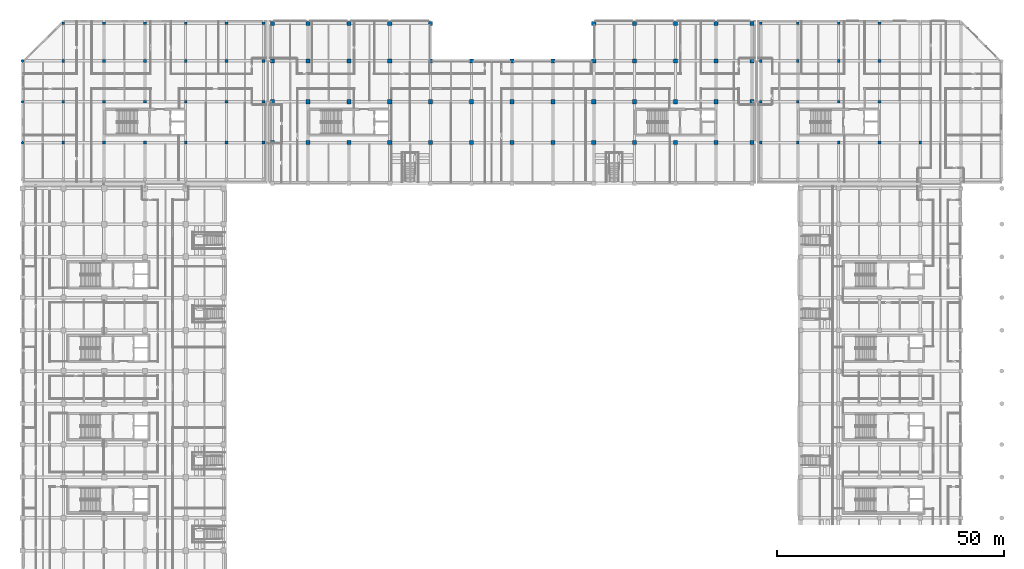
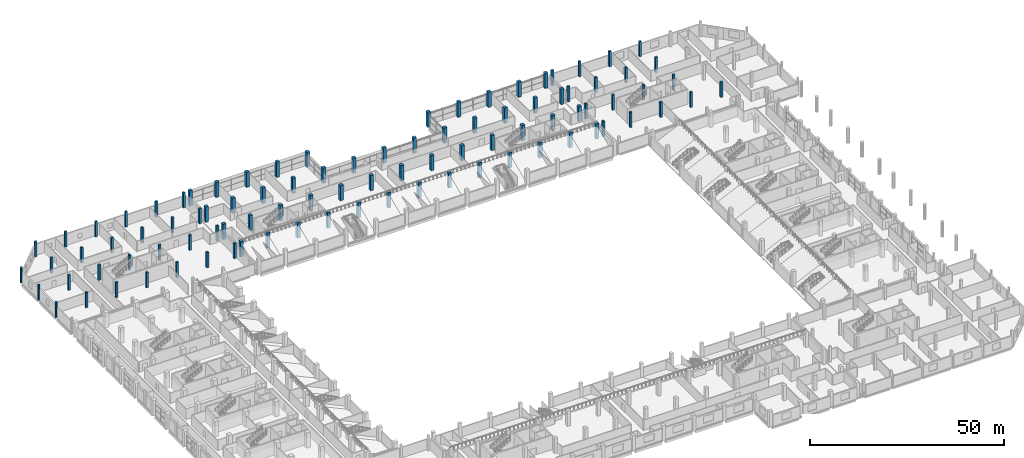
# One storey, part 3 of 100: 93 columns.
"""IFC4 building model written with IfcOpenShell, lengths in metres."""

from ifc_helpers import new_model, si_unit, direction, frame, origin, origin_2d, place, context, subcontext, project, spatial, rectangle, circle, extrude, material, material_profile, profile_set, type_object, element, save


model = new_model("IFC4")

# Units and contexts
model_context = context("Model", 3, precision=1e-05, world=origin(), true_north=direction((0.0, 1.0)))
body_context = subcontext(model_context, "Body", "Model", "MODEL_VIEW")
ifc_project = project(units=[si_unit("LENGTHUNIT", "METRE"), si_unit("AREAUNIT", "SQUARE_METRE"), si_unit("VOLUMEUNIT", "CUBIC_METRE"), si_unit("PLANEANGLEUNIT", "RADIAN"), si_unit("MASSUNIT", "GRAM", prefix="KILO"), si_unit("THERMODYNAMICTEMPERATUREUNIT", "KELVIN"), si_unit("POWERUNIT", "WATT")], contexts=[model_context])

# Site, building, storey
site_placement = place(None, origin())
site = spatial("IfcSite", under=ifc_project, at=site_placement, CompositionType="ELEMENT")
building_placement = place(site_placement, origin())
building = spatial("IfcBuilding", under=site, at=building_placement, Name="Sindhuravela Promenade Stadium", CompositionType="ELEMENT")
storey_placement = place(building_placement, frame((0.0, 0.0, 4.800048828125)))
storey = spatial("IfcBuildingStorey", under=building, at=storey_placement, Name="L01", CompositionType="ELEMENT", Elevation=4.800048828125)

# Columns
ifc_material = material(Name="Concrete M40", Category="concrete")
ifc_material_profile_1 = material_profile(ifc_material, rectangle(XDim=0.60009765625, YDim=0.60009765625, at=origin_2d()), Name="RC 600x600")
ifc_profile_set_1 = profile_set([ifc_material_profile_1], Name="Concrete M40")
column_type_1 = type_object("IfcColumnType", Name="RC-CL-600x600", PredefinedType="COLUMN", material=ifc_profile_set_1)
for number, where, z_axis, x_axis, name in (
    (1, (9.0, 135.0, 0.0), (0.0, 0.0, 1.0), (1.0, 0.0, 0.0), "Column C17 Pavilion NW L01"),
    (2, (9.0, 144.0, 0.0), (0.0, 0.0, 1.0), (1.0, 0.0, 0.0), "Column C17 Pavilion NW L01"),
    (3, (9.0, 153.0, 0.0), (0.0, 0.0, 1.0), (1.0, 0.0, 0.0), "Column C17 Pavilion NW L01"),
    (4, (9.0, 161.300048828125, 0.0), (0.0, 0.0, 1.0), (1.0, 0.0, 0.0), "Column C17 Pavilion NW L01"),
    (5, (18.0, 135.0, 0.0), (0.0, 0.0, 1.0), (1.0, 0.0, 0.0), "Column C17 Pavilion NW L01"),
    (6, (18.0, 144.0, 0.0), (0.0, 0.0, 1.0), (1.0, 0.0, 0.0), "Column C17 Pavilion NW L01"),
    (7, (18.0, 153.0, 0.0), (0.0, 0.0, 1.0), (1.0, 0.0, 0.0), "Column C17 Pavilion NW L01"),
    (8, (18.0, 161.300048828125, 0.0), (0.0, 0.0, 1.0), (1.0, 0.0, 0.0), "Column C17 Pavilion NW L01"),
    (9, (27.0, 135.0, 0.0), (0.0, 0.0, 1.0), (1.0, 0.0, 0.0), "Column C17 Pavilion NW L01"),
    (10, (27.0, 144.0, 0.0), (0.0, 0.0, 1.0), (1.0, 0.0, 0.0), "Column C17 Pavilion NW L01"),
    (11, (27.0, 153.0, 0.0), (0.0, 0.0, 1.0), (1.0, 0.0, 0.0), "Column C17 Pavilion NW L01"),
    (12, (27.0, 161.300048828125, 0.0), (0.0, 0.0, 1.0), (1.0, 0.0, 0.0), "Column C17 Pavilion NW L01"),
    (13, (36.0, 135.0, 0.0), (0.0, 0.0, 1.0), (1.0, 0.0, 0.0), "Column C17 Pavilion NW L01"),
    (14, (36.0, 144.0, 0.0), (0.0, 0.0, 1.0), (1.0, 0.0, 0.0), "Column C17 Pavilion NW L01"),
    (15, (36.0, 153.0, 0.0), (0.0, 0.0, 1.0), (1.0, 0.0, 0.0), "Column C17 Pavilion NW L01"),
    (16, (36.0, 161.300048828125, 0.0), (0.0, 0.0, 1.0), (1.0, 0.0, 0.0), "Column C17 Pavilion NW L01"),
    (17, (45.0, 135.0, 0.0), (0.0, 0.0, 1.0), (1.0, 0.0, 0.0), "Column C17 Pavilion NW L01"),
    (18, (45.0, 144.0, 0.0), (0.0, 0.0, 1.0), (1.0, 0.0, 0.0), "Column C17 Pavilion NW L01"),
    (19, (45.0, 153.0, 0.0), (0.0, 0.0, 1.0), (1.0, 0.0, 0.0), "Column C17 Pavilion NW L01"),
    (20, (45.0, 161.300048828125, 0.0), (0.0, 0.0, 1.0), (1.0, 0.0, 0.0), "Column C17 Pavilion NW L01"),
    (21, (53.14990234375, 135.0, 0.0), (0.0, 0.0, 1.0), (1.0, 0.0, 0.0), "Column C17 Pavilion NW L01"),
    (22, (53.14990234375, 144.0, 0.0), (0.0, 0.0, 1.0), (1.0, 0.0, 0.0), "Column C17 Pavilion NW L01"),
    (23, (53.14990234375, 153.0, 0.0), (0.0, 0.0, 1.0), (1.0, 0.0, 0.0), "Column C17 Pavilion NW L01"),
    (24, (53.14990234375, 161.300048828125, 0.0), (0.0, 0.0, 1.0), (1.0, 0.0, 0.0), "Column C17 Pavilion NW L01"),
    (25, (162.85009765625, 135.0, 0.0), (0.0, 0.0, 1.0), (1.0, 0.0, 0.0), "Column C17 Pavilion NE L01"),
    (26, (162.85009765625, 144.0, 0.0), (0.0, 0.0, 1.0), (1.0, 0.0, 0.0), "Column C17 Pavilion NE L01"),
    (27, (162.85009765625, 153.0, 0.0), (0.0, 0.0, 1.0), (1.0, 0.0, 0.0), "Column C17 Pavilion NE L01"),
    (28, (162.85009765625, 161.300048828125, 0.0), (0.0, 0.0, 1.0), (1.0, 0.0, 0.0), "Column C17 Pavilion NE L01"),
    (29, (171.0, 135.0, 0.0), (0.0, 0.0, 1.0), (1.0, 0.0, 0.0), "Column C17 Pavilion NE L01"),
    (30, (171.0, 144.0, 0.0), (0.0, 0.0, 1.0), (1.0, 0.0, 0.0), "Column C17 Pavilion NE L01"),
    (31, (171.0, 153.0, 0.0), (0.0, 0.0, 1.0), (1.0, 0.0, 0.0), "Column C17 Pavilion NE L01"),
    (32, (171.0, 161.300048828125, 0.0), (0.0, 0.0, 1.0), (1.0, 0.0, 0.0), "Column C17 Pavilion NE L01"),
    (33, (180.0, 135.0, 0.0), (0.0, 0.0, 1.0), (1.0, 0.0, 0.0), "Column C17 Pavilion NE L01"),
    (34, (180.0, 144.0, 0.0), (0.0, 0.0, 1.0), (1.0, 0.0, 0.0), "Column C17 Pavilion NE L01"),
    (35, (180.0, 153.0, 0.0), (0.0, 0.0, 1.0), (1.0, 0.0, 0.0), "Column C17 Pavilion NE L01"),
    (36, (180.0, 161.300048828125, 0.0), (0.0, 0.0, 1.0), (1.0, 0.0, 0.0), "Column C17 Pavilion NE L01"),
    (37, (189.0, 135.0, 0.0), (0.0, 0.0, 1.0), (1.0, 0.0, 0.0), "Column C17 Pavilion NE L01"),
    (38, (189.0, 144.0, 0.0), (0.0, 0.0, 1.0), (1.0, 0.0, 0.0), "Column C17 Pavilion NE L01"),
    (39, (189.0, 153.0, 0.0), (0.0, 0.0, 1.0), (1.0, 0.0, 0.0), "Column C17 Pavilion NE L01"),
    (40, (189.0, 161.300048828125, 0.0), (0.0, 0.0, 1.0), (1.0, 0.0, 0.0), "Column C17 Pavilion NE L01"),
    (41, (198.0, 135.0, 0.0), (0.0, 0.0, 1.0), (1.0, 0.0, 0.0), "Column C17 Pavilion NE L01"),
):
    element("IfcColumn", number, at=place(storey_placement, frame(where, z_axis=z_axis, x_axis=x_axis)), inside=storey, type_object=column_type_1, Name=name, PredefinedType="COLUMN", context=body_context, shape_type="SweptSolid", body=[
        extrude(rectangle(XDim=0.60009765625, YDim=0.60009765625, at=origin_2d()), origin(), (0.0, 0.0, 1.0), 4.800048828125),
    ])
ifc_material_profile_2 = material_profile(ifc_material, rectangle(XDim=0.89990234375, YDim=0.89990234375, at=origin_2d()), Name="RC 900x900")
ifc_profile_set_2 = profile_set([ifc_material_profile_2], Name="Concrete M40")
column_type_2 = type_object("IfcColumnType", Name="RC-CL-900x900", PredefinedType="COLUMN", material=ifc_profile_set_2)
for number, where, z_axis, x_axis, name in (
    (42, (55.10009765625, 135.0, 0.0), (0.0, 0.0, 1.0), (1.0, 0.0, 0.0), "Column C08 NORTH L01"),
    (43, (55.10009765625, 144.0, 0.0), (0.0, 0.0, 1.0), (1.0, 0.0, 0.0), "Column C08 NORTH L01"),
    (44, (55.10009765625, 153.0, 0.0), (0.0, 0.0, 1.0), (1.0, 0.0, 0.0), "Column C08 NORTH L01"),
    (45, (55.10009765625, 161.300048828125, 0.0), (0.0, 0.0, 1.0), (1.0, 0.0, 0.0), "Column C08 NORTH L01"),
    (46, (63.0, 135.0, 0.0), (0.0, 0.0, 1.0), (1.0, 0.0, 0.0), "Column C08 NORTH L01"),
    (47, (63.0, 144.0, 0.0), (0.0, 0.0, 1.0), (1.0, 0.0, 0.0), "Column C08 NORTH L01"),
    (48, (63.0, 153.0, 0.0), (0.0, 0.0, 1.0), (1.0, 0.0, 0.0), "Column C08 NORTH L01"),
    (49, (63.0, 161.300048828125, 0.0), (0.0, 0.0, 1.0), (1.0, 0.0, 0.0), "Column C08 NORTH L01"),
    (50, (72.0, 135.0, 0.0), (0.0, 0.0, 1.0), (1.0, 0.0, 0.0), "Column C08 NORTH L01"),
    (51, (72.0, 144.0, 0.0), (0.0, 0.0, 1.0), (1.0, 0.0, 0.0), "Column C08 NORTH L01"),
    (52, (72.0, 153.0, 0.0), (0.0, 0.0, 1.0), (1.0, 0.0, 0.0), "Column C08 NORTH L01"),
    (53, (72.0, 161.300048828125, 0.0), (0.0, 0.0, 1.0), (1.0, 0.0, 0.0), "Column C08 NORTH L01"),
    (54, (81.0, 135.0, 0.0), (0.0, 0.0, 1.0), (1.0, 0.0, 0.0), "Column C08 NORTH L01"),
    (55, (81.0, 144.0, 0.0), (0.0, 0.0, 1.0), (1.0, 0.0, 0.0), "Column C08 NORTH L01"),
    (56, (81.0, 153.0, 0.0), (0.0, 0.0, 1.0), (1.0, 0.0, 0.0), "Column C08 NORTH L01"),
    (57, (81.0, 161.300048828125, 0.0), (0.0, 0.0, 1.0), (1.0, 0.0, 0.0), "Column C08 NORTH L01"),
    (58, (90.0, 135.0, 0.0), (0.0, 0.0, 1.0), (1.0, 0.0, 0.0), "Column C08 NORTH L01"),
    (59, (90.0, 144.0, 0.0), (0.0, 0.0, 1.0), (1.0, 0.0, 0.0), "Column C08 NORTH L01"),
    (60, (90.0, 153.0, 0.0), (0.0, 0.0, 1.0), (1.0, 0.0, 0.0), "Column C08 NORTH L01"),
    (61, (90.0, 161.300048828125, 0.0), (0.0, 0.0, 1.0), (1.0, 0.0, 0.0), "Column C08 NORTH L01"),
    (62, (99.0, 135.0, 0.0), (0.0, 0.0, 1.0), (1.0, 0.0, 0.0), "Column C08 NORTH L01"),
    (63, (99.0, 144.0, 0.0), (0.0, 0.0, 1.0), (1.0, 0.0, 0.0), "Column C08 NORTH L01"),
    (64, (99.0, 153.0, 0.0), (0.0, 0.0, 1.0), (1.0, 0.0, 0.0), "Column C08 NORTH L01"),
    (65, (108.0, 135.0, 0.0), (0.0, 0.0, 1.0), (1.0, 0.0, 0.0), "Column C08 NORTH L01"),
    (66, (108.0, 144.0, 0.0), (0.0, 0.0, 1.0), (1.0, 0.0, 0.0), "Column C08 NORTH L01"),
    (67, (108.0, 153.0, 0.0), (0.0, 0.0, 1.0), (1.0, 0.0, 0.0), "Column C08 NORTH L01"),
    (68, (117.0, 135.0, 0.0), (0.0, 0.0, 1.0), (1.0, 0.0, 0.0), "Column C08 NORTH L01"),
    (69, (117.0, 144.0, 0.0), (0.0, 0.0, 1.0), (1.0, 0.0, 0.0), "Column C08 NORTH L01"),
    (70, (117.0, 153.0, 0.0), (0.0, 0.0, 1.0), (1.0, 0.0, 0.0), "Column C08 NORTH L01"),
    (71, (126.0, 135.0, 0.0), (0.0, 0.0, 1.0), (1.0, 0.0, 0.0), "Column C08 NORTH L01"),
    (72, (126.0, 144.0, 0.0), (0.0, 0.0, 1.0), (1.0, 0.0, 0.0), "Column C08 NORTH L01"),
    (73, (126.0, 153.0, 0.0), (0.0, 0.0, 1.0), (1.0, 0.0, 0.0), "Column C08 NORTH L01"),
    (74, (126.0, 161.300048828125, 0.0), (0.0, 0.0, 1.0), (1.0, 0.0, 0.0), "Column C08 NORTH L01"),
    (75, (135.0, 135.0, 0.0), (0.0, 0.0, 1.0), (1.0, 0.0, 0.0), "Column C08 NORTH L01"),
    (76, (135.0, 144.0, 0.0), (0.0, 0.0, 1.0), (1.0, 0.0, 0.0), "Column C08 NORTH L01"),
    (77, (135.0, 153.0, 0.0), (0.0, 0.0, 1.0), (1.0, 0.0, 0.0), "Column C08 NORTH L01"),
    (78, (135.0, 161.300048828125, 0.0), (0.0, 0.0, 1.0), (1.0, 0.0, 0.0), "Column C08 NORTH L01"),
    (79, (144.0, 135.0, 0.0), (0.0, 0.0, 1.0), (1.0, 0.0, 0.0), "Column C08 NORTH L01"),
    (80, (144.0, 144.0, 0.0), (0.0, 0.0, 1.0), (1.0, 0.0, 0.0), "Column C08 NORTH L01"),
    (81, (144.0, 153.0, 0.0), (0.0, 0.0, 1.0), (1.0, 0.0, 0.0), "Column C08 NORTH L01"),
    (82, (144.0, 161.300048828125, 0.0), (0.0, 0.0, 1.0), (1.0, 0.0, 0.0), "Column C08 NORTH L01"),
    (83, (153.0, 135.0, 0.0), (0.0, 0.0, 1.0), (1.0, 0.0, 0.0), "Column C08 NORTH L01"),
    (84, (153.0, 144.0, 0.0), (0.0, 0.0, 1.0), (1.0, 0.0, 0.0), "Column C08 NORTH L01"),
    (85, (153.0, 153.0, 0.0), (0.0, 0.0, 1.0), (1.0, 0.0, 0.0), "Column C08 NORTH L01"),
    (86, (153.0, 161.300048828125, 0.0), (0.0, 0.0, 1.0), (1.0, 0.0, 0.0), "Column C08 NORTH L01"),
    (87, (160.89990234375, 135.0, 0.0), (0.0, 0.0, 1.0), (1.0, 0.0, 0.0), "Column C08 NORTH L01"),
    (88, (160.89990234375, 144.0, 0.0), (0.0, 0.0, 1.0), (1.0, 0.0, 0.0), "Column C08 NORTH L01"),
    (89, (160.89990234375, 153.0, 0.0), (0.0, 0.0, 1.0), (1.0, 0.0, 0.0), "Column C08 NORTH L01"),
    (90, (160.89990234375, 161.300048828125, 0.0), (0.0, 0.0, 1.0), (1.0, 0.0, 0.0), "Column C08 NORTH L01"),
):
    element("IfcColumn", number, at=place(storey_placement, frame(where, z_axis=z_axis, x_axis=x_axis)), inside=storey, type_object=column_type_2, Name=name, PredefinedType="COLUMN", context=body_context, shape_type="SweptSolid", body=[
        extrude(rectangle(XDim=0.89990234375, YDim=0.89990234375, at=origin_2d()), origin(), (0.0, 0.0, 1.0), 4.800048828125),
    ])
ifc_material_profile_3 = material_profile(ifc_material, circle(Radius=0.324951171875, at=origin_2d()), Name="RC D650")
ifc_profile_set_3 = profile_set([ifc_material_profile_3], Name="Concrete M40")
column_type_3 = type_object("IfcColumnType", Name="RC-CL-D650", PredefinedType="COLUMN", material=ifc_profile_set_3)
for number, where, z_axis, x_axis, name in (
    (91, (0.0, 135.0, 0.0), (0.0, 0.0, 1.0), (1.0, 0.0, 0.0), "Column CD4 Pavilion NW L01"),
    (92, (0.0, 144.0, 0.0), (0.0, 0.0, 1.0), (1.0, 0.0, 0.0), "Column CD4 Pavilion NW L01"),
    (93, (0.0, 153.0, 0.0), (0.0, 0.0, 1.0), (1.0, 0.0, 0.0), "Column CD4 Pavilion NW L01"),
):
    element("IfcColumn", number, at=place(storey_placement, frame(where, z_axis=z_axis, x_axis=x_axis)), inside=storey, type_object=column_type_3, Name=name, PredefinedType="COLUMN", context=body_context, shape_type="SweptSolid", body=[
        extrude(circle(Radius=0.324951171875, at=origin_2d()), origin(), (0.0, 0.0, 1.0), 4.800048828125),
    ])

save(model, "model.ifc")
